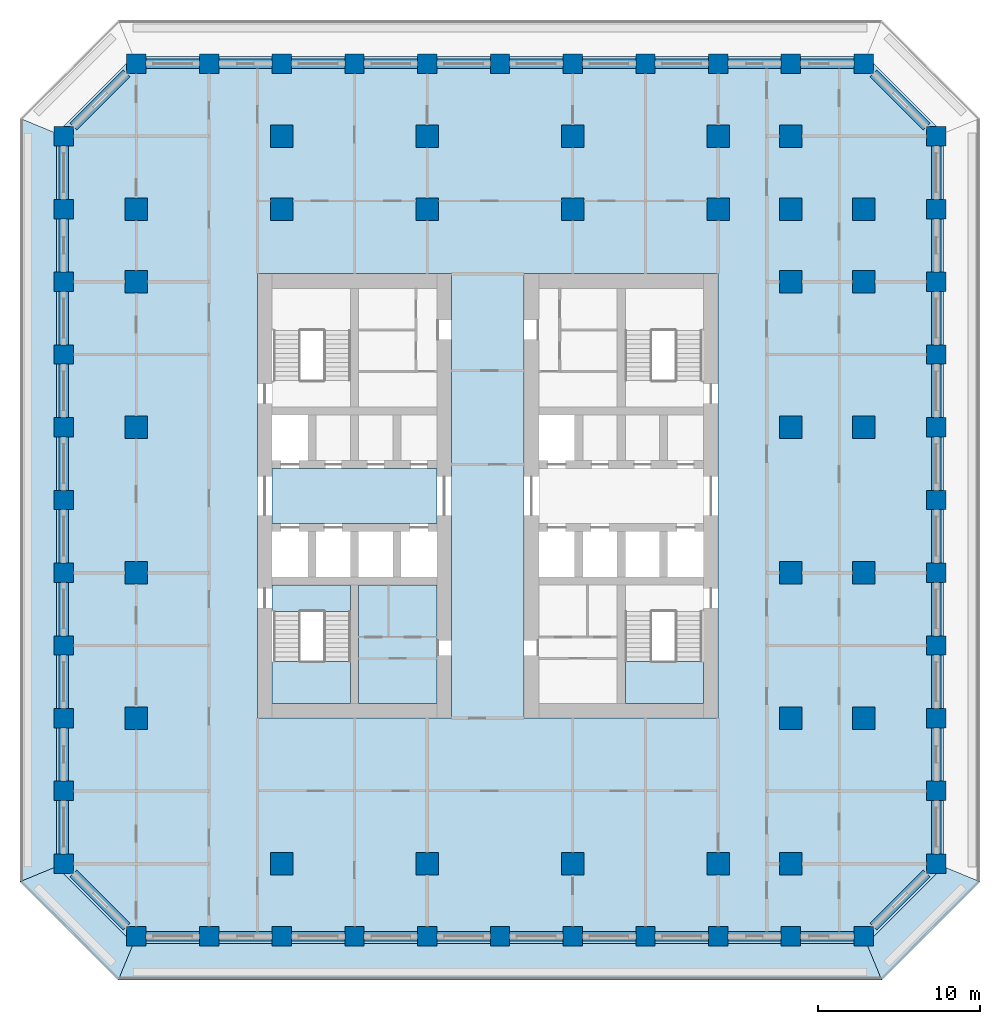
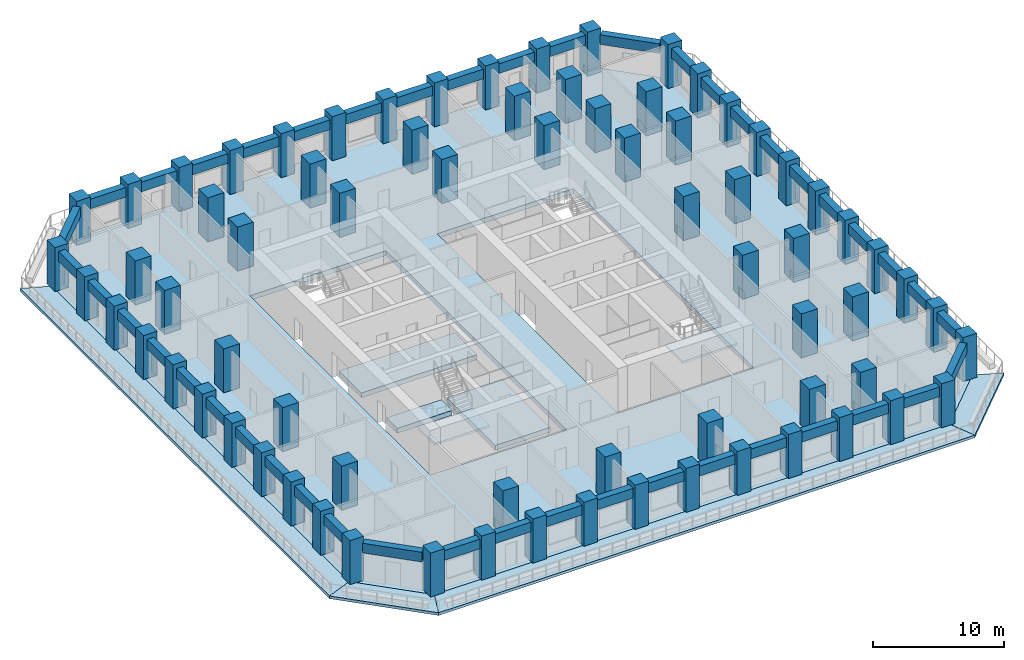
# One storey, part 1 of 18: 73 columns, 44 beams, 10 slabs, 2 elements without a shape of their own.
"""IFC4 building model written with IfcOpenShell, lengths in metres."""

from ifc_helpers import new_model, si_unit, direction, frame, origin, origin_2d, place, context, subcontext, project, spatial, polyline, rectangle, outline, extrude, material, layer, layer_set, material_profile, profile_set, type_object, element, aggregate, save


model = new_model("IFC4")

# Units and contexts
model_context = context("Model", 3, precision=1e-05, world=origin(), true_north=direction((0.0, 1.0)))
body_context = subcontext(model_context, "Body", "Model", "MODEL_VIEW")
ifc_project = project(units=[si_unit("LENGTHUNIT", "METRE"), si_unit("AREAUNIT", "SQUARE_METRE"), si_unit("VOLUMEUNIT", "CUBIC_METRE"), si_unit("PLANEANGLEUNIT", "RADIAN"), si_unit("MASSUNIT", "GRAM", prefix="KILO")], contexts=[model_context])

# Site, building, storey
site_placement = place(None, origin())
site = spatial("IfcSite", under=ifc_project, at=site_placement, CompositionType="ELEMENT")
building_placement = place(site_placement, origin())
building = spatial("IfcBuilding", under=site, at=building_placement, Name="Corbel Stack Research Tower", CompositionType="ELEMENT")
storey_placement = place(building_placement, frame((0.0, 0.0, 102.5)))
storey = spatial("IfcBuildingStorey", under=building, at=storey_placement, Name="L23", CompositionType="ELEMENT", Elevation=102.5)

# Columns
ifc_material_1 = material(Name="Concrete C70/85", Category="concrete")
ifc_material_profile_1 = material_profile(ifc_material_1, rectangle(XDim=1.199951171875, YDim=1.199951171875, at=origin_2d()), Name="RC 1200 x 1200")
ifc_profile_set_1 = profile_set([ifc_material_profile_1], Name="Concrete C70/85")
column_type_1 = type_object("IfcColumnType", Name="C-1200-70", PredefinedType="COLUMN", material=ifc_profile_set_1)
for number, where, z_axis, x_axis, name in (
    (1, (-22.5, -18.0, 0.0), (0.0, 0.0, 1.0), (1.0, 0.0, 0.0), "Column 3/D L23"),
    (2, (-22.5, -13.5, 0.0), (0.0, 0.0, 1.0), (1.0, 0.0, 0.0), "Column 3/E L23"),
    (3, (-22.5, -9.0, 0.0), (0.0, 0.0, 1.0), (1.0, 0.0, 0.0), "Column 3/F L23"),
    (4, (-22.5, -4.5, 0.0), (0.0, 0.0, 1.0), (1.0, 0.0, 0.0), "Column 3/G L23"),
    (5, (-22.5, 0.0, 0.0), (0.0, 0.0, 1.0), (1.0, 0.0, 0.0), "Column 3/H L23"),
    (6, (-22.5, 4.5, 0.0), (0.0, 0.0, 1.0), (1.0, 0.0, 0.0), "Column 3/J L23"),
    (7, (-22.5, 9.0, 0.0), (0.0, 0.0, 1.0), (1.0, 0.0, 0.0), "Column 3/K L23"),
    (8, (-22.5, 13.5, 0.0), (0.0, 0.0, 1.0), (1.0, 0.0, 0.0), "Column 3/L L23"),
    (9, (-22.5, 18.0, 0.0), (0.0, 0.0, 1.0), (1.0, 0.0, 0.0), "Column 3/M L23"),
    (10, (-22.5, 22.5, 0.0), (0.0, 0.0, 1.0), (1.0, 0.0, 0.0), "Column 3/N L23"),
    (11, (-22.5, 27.0, 0.0), (0.0, 0.0, 1.0), (1.0, 0.0, 0.0), "Column 3/P L23"),
    (12, (-18.0, -22.5, 0.0), (0.0, 0.0, 1.0), (1.0, 0.0, 0.0), "Column 4/C L23"),
    (13, (-18.0, 31.5, 0.0), (0.0, 0.0, 1.0), (1.0, 0.0, 0.0), "Column 4/Q L23"),
    (14, (-13.5, -22.5, 0.0), (0.0, 0.0, 1.0), (1.0, 0.0, 0.0), "Column 5/C L23"),
    (15, (-13.5, 31.5, 0.0), (0.0, 0.0, 1.0), (1.0, 0.0, 0.0), "Column 5/Q L23"),
    (16, (-9.0, -22.5, 0.0), (0.0, 0.0, 1.0), (1.0, 0.0, 0.0), "Column 6/C L23"),
    (17, (-9.0, 31.5, 0.0), (0.0, 0.0, 1.0), (1.0, 0.0, 0.0), "Column 6/Q L23"),
    (18, (-4.5, -22.5, 0.0), (0.0, 0.0, 1.0), (1.0, 0.0, 0.0), "Column 7/C L23"),
    (19, (-4.5, 31.5, 0.0), (0.0, 0.0, 1.0), (1.0, 0.0, 0.0), "Column 7/Q L23"),
    (20, (0.0, -22.5, 0.0), (0.0, 0.0, 1.0), (1.0, 0.0, 0.0), "Column 8/C L23"),
    (21, (0.0, 31.5, 0.0), (0.0, 0.0, 1.0), (1.0, 0.0, 0.0), "Column 8/Q L23"),
    (22, (4.5, -22.5, 0.0), (0.0, 0.0, 1.0), (1.0, 0.0, 0.0), "Column 9/C L23"),
    (23, (4.5, 31.5, 0.0), (0.0, 0.0, 1.0), (1.0, 0.0, 0.0), "Column 9/Q L23"),
    (24, (9.0, -22.5, 0.0), (0.0, 0.0, 1.0), (1.0, 0.0, 0.0), "Column 10/C L23"),
    (25, (9.0, 31.5, 0.0), (0.0, 0.0, 1.0), (1.0, 0.0, 0.0), "Column 10/Q L23"),
    (26, (13.5, -22.5, 0.0), (0.0, 0.0, 1.0), (1.0, 0.0, 0.0), "Column 11/C L23"),
    (27, (13.5, 31.5, 0.0), (0.0, 0.0, 1.0), (1.0, 0.0, 0.0), "Column 11/Q L23"),
    (28, (18.0, -22.5, 0.0), (0.0, 0.0, 1.0), (1.0, 0.0, 0.0), "Column 12/C L23"),
    (29, (18.0, 31.5, 0.0), (0.0, 0.0, 1.0), (1.0, 0.0, 0.0), "Column 12/Q L23"),
    (30, (22.5, -22.5, 0.0), (0.0, 0.0, 1.0), (1.0, 0.0, 0.0), "Column 13/C L23"),
    (31, (22.5, 31.5, 0.0), (0.0, 0.0, 1.0), (1.0, 0.0, 0.0), "Column 13/Q L23"),
    (32, (27.0, -22.5, 0.0), (0.0, 0.0, 1.0), (1.0, 0.0, 0.0), "Column 14/C L23"),
    (33, (27.0, 31.5, 0.0), (0.0, 0.0, 1.0), (1.0, 0.0, 0.0), "Column 14/Q L23"),
    (34, (31.5, -18.0, 0.0), (0.0, 0.0, 1.0), (1.0, 0.0, 0.0), "Column 15/D L23"),
    (35, (31.5, -13.5, 0.0), (0.0, 0.0, 1.0), (1.0, 0.0, 0.0), "Column 15/E L23"),
    (36, (31.5, -9.0, 0.0), (0.0, 0.0, 1.0), (1.0, 0.0, 0.0), "Column 15/F L23"),
    (37, (31.5, -4.5, 0.0), (0.0, 0.0, 1.0), (1.0, 0.0, 0.0), "Column 15/G L23"),
    (38, (31.5, 0.0, 0.0), (0.0, 0.0, 1.0), (1.0, 0.0, 0.0), "Column 15/H L23"),
    (39, (31.5, 4.5, 0.0), (0.0, 0.0, 1.0), (1.0, 0.0, 0.0), "Column 15/J L23"),
    (40, (31.5, 9.0, 0.0), (0.0, 0.0, 1.0), (1.0, 0.0, 0.0), "Column 15/K L23"),
    (41, (31.5, 13.5, 0.0), (0.0, 0.0, 1.0), (1.0, 0.0, 0.0), "Column 15/L L23"),
    (42, (31.5, 18.0, 0.0), (0.0, 0.0, 1.0), (1.0, 0.0, 0.0), "Column 15/M L23"),
    (43, (31.5, 22.5, 0.0), (0.0, 0.0, 1.0), (1.0, 0.0, 0.0), "Column 15/N L23"),
    (44, (31.5, 27.0, 0.0), (0.0, 0.0, 1.0), (1.0, 0.0, 0.0), "Column 15/P L23"),
):
    element("IfcColumn", number, at=place(storey_placement, frame(where, z_axis=z_axis, x_axis=x_axis)), inside=storey, type_object=column_type_1, Name=name, PredefinedType="COLUMN", context=body_context, shape_type="SweptSolid", body=[
        extrude(rectangle(XDim=1.199951171875, YDim=1.199951171875, at=origin_2d()), origin(), (0.0, 0.0, 1.0), 4.10009765625),
    ])
ifc_material_2 = material(Name="Concrete C70/85", Category="concrete")
ifc_material_profile_2 = material_profile(ifc_material_2, rectangle(XDim=1.39990234375, YDim=1.39990234375, at=origin_2d()), Name="RC 1400 x 1400")
ifc_profile_set_2 = profile_set([ifc_material_profile_2], Name="Concrete C70/85")
column_type_2 = type_object("IfcColumnType", Name="C-1400-70", PredefinedType="COLUMN", material=ifc_profile_set_2)
for number, where, z_axis, x_axis, name in (
    (45, (-18.0, -9.0, 0.0), (0.0, 0.0, 1.0), (1.0, 0.0, 0.0), "Column 4/F L23"),
    (46, (-18.0, 0.0, 0.0), (0.0, 0.0, 1.0), (1.0, 0.0, 0.0), "Column 4/H L23"),
    (47, (-18.0, 9.0, 0.0), (0.0, 0.0, 1.0), (1.0, 0.0, 0.0), "Column 4/K L23"),
    (48, (-18.0, 18.0, 0.0), (0.0, 0.0, 1.0), (1.0, 0.0, 0.0), "Column 4/M L23"),
    (49, (-18.0, 22.5, 0.0), (0.0, 0.0, 1.0), (1.0, 0.0, 0.0), "Column 4/N L23"),
    (50, (-9.0, -18.0, 0.0), (0.0, 0.0, 1.0), (1.0, 0.0, 0.0), "Column 6/D L23"),
    (51, (-9.0, 22.5, 0.0), (0.0, 0.0, 1.0), (1.0, 0.0, 0.0), "Column 6/N L23"),
    (52, (-9.0, 27.0, 0.0), (0.0, 0.0, 1.0), (1.0, 0.0, 0.0), "Column 6/P L23"),
    (53, (0.0, -18.0, 0.0), (0.0, 0.0, 1.0), (1.0, 0.0, 0.0), "Column 8/D L23"),
    (54, (0.0, 22.5, 0.0), (0.0, 0.0, 1.0), (1.0, 0.0, 0.0), "Column 8/N L23"),
    (55, (0.0, 27.0, 0.0), (0.0, 0.0, 1.0), (1.0, 0.0, 0.0), "Column 8/P L23"),
    (56, (9.0, -18.0, 0.0), (0.0, 0.0, 1.0), (1.0, 0.0, 0.0), "Column 10/D L23"),
    (57, (9.0, 22.5, 0.0), (0.0, 0.0, 1.0), (1.0, 0.0, 0.0), "Column 10/N L23"),
    (58, (9.0, 27.0, 0.0), (0.0, 0.0, 1.0), (1.0, 0.0, 0.0), "Column 10/P L23"),
    (59, (18.0, -18.0, 0.0), (0.0, 0.0, 1.0), (1.0, 0.0, 0.0), "Column 12/D L23"),
    (60, (18.0, 22.5, 0.0), (0.0, 0.0, 1.0), (1.0, 0.0, 0.0), "Column 12/N L23"),
    (61, (18.0, 27.0, 0.0), (0.0, 0.0, 1.0), (1.0, 0.0, 0.0), "Column 12/P L23"),
    (62, (22.5, -18.0, 0.0), (0.0, 0.0, 1.0), (1.0, 0.0, 0.0), "Column 13/D L23"),
    (63, (22.5, -9.0, 0.0), (0.0, 0.0, 1.0), (1.0, 0.0, 0.0), "Column 13/F L23"),
    (64, (22.5, 0.0, 0.0), (0.0, 0.0, 1.0), (1.0, 0.0, 0.0), "Column 13/H L23"),
    (65, (22.5, 9.0, 0.0), (0.0, 0.0, 1.0), (1.0, 0.0, 0.0), "Column 13/K L23"),
    (66, (22.5, 18.0, 0.0), (0.0, 0.0, 1.0), (1.0, 0.0, 0.0), "Column 13/M L23"),
    (67, (22.5, 22.5, 0.0), (0.0, 0.0, 1.0), (1.0, 0.0, 0.0), "Column 13/N L23"),
    (68, (22.5, 27.0, 0.0), (0.0, 0.0, 1.0), (1.0, 0.0, 0.0), "Column 13/P L23"),
    (69, (27.0, -9.0, 0.0), (0.0, 0.0, 1.0), (1.0, 0.0, 0.0), "Column 14/F L23"),
    (70, (27.0, 0.0, 0.0), (0.0, 0.0, 1.0), (1.0, 0.0, 0.0), "Column 14/H L23"),
    (71, (27.0, 9.0, 0.0), (0.0, 0.0, 1.0), (1.0, 0.0, 0.0), "Column 14/K L23"),
    (72, (27.0, 18.0, 0.0), (0.0, 0.0, 1.0), (1.0, 0.0, 0.0), "Column 14/M L23"),
    (73, (27.0, 22.5, 0.0), (0.0, 0.0, 1.0), (1.0, 0.0, 0.0), "Column 14/N L23"),
):
    element("IfcColumn", number, at=place(storey_placement, frame(where, z_axis=z_axis, x_axis=x_axis)), inside=storey, type_object=column_type_2, Name=name, PredefinedType="COLUMN", context=body_context, shape_type="SweptSolid", body=[
        extrude(rectangle(XDim=1.39990234375, YDim=1.39990234375, at=origin_2d()), origin(), (0.0, 0.0, 1.0), 4.10009765625),
    ])

# Beams
ifc_material_3 = material(Name="Concrete C60/75", Category="concrete")
ifc_material_profile_3 = material_profile(ifc_material_3, rectangle(XDim=0.60009765625, YDim=0.89990234375, at=origin_2d()), Name="RC 600 x 900")
ifc_profile_set_3 = profile_set([ifc_material_profile_3], Name="Concrete C60/75")
beam_type = type_object("IfcBeamType", Name="SB-600-900-450", PredefinedType="SPANDREL", material=ifc_profile_set_3)
for number, where, z_axis, x_axis, name in (
    (74, (-17.39990234375, -22.5, 3.199951171875), (1.0, 0.0, 0.0), (0.0, 1.0, 0.0), "Spandrel beam L23-01"),
    (75, (-12.89990234375, -22.5, 3.199951171875), (1.0, 0.0, 0.0), (0.0, 1.0, 0.0), "Spandrel beam L23-02"),
    (76, (-8.39990234375, -22.5, 3.199951171875), (1.0, 0.0, 0.0), (0.0, 1.0, 0.0), "Spandrel beam L23-03"),
    (77, (-3.89990234375, -22.5, 3.199951171875), (1.0, 0.0, 0.0), (0.0, 1.0, 0.0), "Spandrel beam L23-04"),
    (78, (0.60009765625, -22.5, 3.199951171875), (1.0, 0.0, 0.0), (0.0, 1.0, 0.0), "Spandrel beam L23-05"),
    (79, (5.10009765625, -22.5, 3.199951171875), (1.0, 0.0, 0.0), (0.0, 1.0, 0.0), "Spandrel beam L23-06"),
    (80, (9.60009765625, -22.5, 3.199951171875), (1.0, 0.0, 0.0), (0.0, 1.0, 0.0), "Spandrel beam L23-07"),
    (81, (14.10009765625, -22.5, 3.199951171875), (1.0, 0.0, 0.0), (0.0, 1.0, 0.0), "Spandrel beam L23-08"),
    (82, (18.60009765625, -22.5, 3.199951171875), (1.0, 0.0, 0.0), (0.0, 1.0, 0.0), "Spandrel beam L23-09"),
    (83, (23.10009765625, -22.5, 3.199951171875), (1.0, 0.0, 0.0), (0.0, 1.0, 0.0), "Spandrel beam L23-10"),
):
    element("IfcBeam", number, at=place(storey_placement, frame(where, z_axis=z_axis, x_axis=x_axis)), inside=storey, type_object=beam_type, Name=name, PredefinedType="SPANDREL", context=body_context, shape_type="SweptSolid", body=[
        extrude(rectangle(XDim=0.60009765625, YDim=0.89990234375, at=origin_2d()), origin(), (0.0, 0.0, 1.0), 3.2998046875),
    ])
beam_1_placement = place(storey_placement, frame((27.60009765625, -21.89990234375, 3.199951171875), z_axis=(0.707106781187, 0.707106781187, 0.0), x_axis=(-0.707106781187, 0.707106781187, 0.0)))
element("IfcBeam", 84, at=beam_1_placement, inside=storey, type_object=beam_type, Name="Spandrel beam L23-11", PredefinedType="SPANDREL", context=body_context, shape_type="SweptSolid", body=[
    extrude(rectangle(XDim=0.60009765625, YDim=0.89990234375, at=origin_2d()), origin(), (0.0, 0.0, 1.0), 4.666748046875),
])
for number, where, z_axis, x_axis, name in (
    (85, (31.5, -17.39990234375, 3.199951171875), (0.0, 1.0, 0.0), (-1.0, 0.0, 0.0), "Spandrel beam L23-12"),
    (86, (31.5, -12.89990234375, 3.199951171875), (0.0, 1.0, 0.0), (-1.0, 0.0, 0.0), "Spandrel beam L23-13"),
    (87, (31.5, -8.39990234375, 3.199951171875), (0.0, 1.0, 0.0), (-1.0, 0.0, 0.0), "Spandrel beam L23-14"),
    (88, (31.5, -3.89990234375, 3.199951171875), (0.0, 1.0, 0.0), (-1.0, 0.0, 0.0), "Spandrel beam L23-15"),
    (89, (31.5, 0.60009765625, 3.199951171875), (0.0, 1.0, 0.0), (-1.0, 0.0, 0.0), "Spandrel beam L23-16"),
    (90, (31.5, 5.10009765625, 3.199951171875), (0.0, 1.0, 0.0), (-1.0, 0.0, 0.0), "Spandrel beam L23-17"),
    (91, (31.5, 9.60009765625, 3.199951171875), (0.0, 1.0, 0.0), (-1.0, 0.0, 0.0), "Spandrel beam L23-18"),
    (92, (31.5, 14.10009765625, 3.199951171875), (0.0, 1.0, 0.0), (-1.0, 0.0, 0.0), "Spandrel beam L23-19"),
    (93, (31.5, 18.60009765625, 3.199951171875), (0.0, 1.0, 0.0), (-1.0, 0.0, 0.0), "Spandrel beam L23-20"),
    (94, (31.5, 23.10009765625, 3.199951171875), (0.0, 1.0, 0.0), (-1.0, 0.0, 0.0), "Spandrel beam L23-21"),
):
    element("IfcBeam", number, at=place(storey_placement, frame(where, z_axis=z_axis, x_axis=x_axis)), inside=storey, type_object=beam_type, Name=name, PredefinedType="SPANDREL", context=body_context, shape_type="SweptSolid", body=[
        extrude(rectangle(XDim=0.60009765625, YDim=0.89990234375, at=origin_2d()), origin(), (0.0, 0.0, 1.0), 3.2998046875),
    ])
beam_2_placement = place(storey_placement, frame((30.89990234375, 27.60009765625, 3.199951171875), z_axis=(-0.707106781187, 0.707106781187, 0.0), x_axis=(-0.707106781187, -0.707106781187, 0.0)))
element("IfcBeam", 95, at=beam_2_placement, inside=storey, type_object=beam_type, Name="Spandrel beam L23-22", PredefinedType="SPANDREL", context=body_context, shape_type="SweptSolid", body=[
    extrude(rectangle(XDim=0.60009765625, YDim=0.89990234375, at=origin_2d()), origin(), (0.0, 0.0, 1.0), 4.666748046875),
])
for number, where, z_axis, x_axis, name in (
    (96, (26.39990234375, 31.5, 3.199951171875), (-1.0, 0.0, 0.0), (0.0, -1.0, 0.0), "Spandrel beam L23-23"),
    (97, (21.89990234375, 31.5, 3.199951171875), (-1.0, 0.0, 0.0), (0.0, -1.0, 0.0), "Spandrel beam L23-24"),
    (98, (17.39990234375, 31.5, 3.199951171875), (-1.0, 0.0, 0.0), (0.0, -1.0, 0.0), "Spandrel beam L23-25"),
    (99, (12.89990234375, 31.5, 3.199951171875), (-1.0, 0.0, 0.0), (0.0, -1.0, 0.0), "Spandrel beam L23-26"),
    (100, (8.39990234375, 31.5, 3.199951171875), (-1.0, 0.0, 0.0), (0.0, -1.0, 0.0), "Spandrel beam L23-27"),
    (101, (3.89990234375, 31.5, 3.199951171875), (-1.0, 0.0, 0.0), (0.0, -1.0, 0.0), "Spandrel beam L23-28"),
    (102, (-0.60009765625, 31.5, 3.199951171875), (-1.0, 0.0, 0.0), (0.0, -1.0, 0.0), "Spandrel beam L23-29"),
    (103, (-5.10009765625, 31.5, 3.199951171875), (-1.0, 0.0, 0.0), (0.0, -1.0, 0.0), "Spandrel beam L23-30"),
    (104, (-9.60009765625, 31.5, 3.199951171875), (-1.0, 0.0, 0.0), (0.0, -1.0, 0.0), "Spandrel beam L23-31"),
    (105, (-14.10009765625, 31.5, 3.199951171875), (-1.0, 0.0, 0.0), (0.0, -1.0, 0.0), "Spandrel beam L23-32"),
):
    element("IfcBeam", number, at=place(storey_placement, frame(where, z_axis=z_axis, x_axis=x_axis)), inside=storey, type_object=beam_type, Name=name, PredefinedType="SPANDREL", context=body_context, shape_type="SweptSolid", body=[
        extrude(rectangle(XDim=0.60009765625, YDim=0.89990234375, at=origin_2d()), origin(), (0.0, 0.0, 1.0), 3.2998046875),
    ])
beam_3_placement = place(storey_placement, frame((-18.60009765625, 30.89990234375, 3.199951171875), z_axis=(-0.707106781187, -0.707106781187, 0.0), x_axis=(0.707106781187, -0.707106781187, 0.0)))
element("IfcBeam", 106, at=beam_3_placement, inside=storey, type_object=beam_type, Name="Spandrel beam L23-33", PredefinedType="SPANDREL", context=body_context, shape_type="SweptSolid", body=[
    extrude(rectangle(XDim=0.60009765625, YDim=0.89990234375, at=origin_2d()), origin(), (0.0, 0.0, 1.0), 4.666748046875),
])
for number, where, z_axis, x_axis, name in (
    (107, (-22.5, 26.39990234375, 3.199951171875), (0.0, -1.0, 0.0), (1.0, 0.0, 0.0), "Spandrel beam L23-34"),
    (108, (-22.5, 21.89990234375, 3.199951171875), (0.0, -1.0, 0.0), (1.0, 0.0, 0.0), "Spandrel beam L23-35"),
    (109, (-22.5, 17.39990234375, 3.199951171875), (0.0, -1.0, 0.0), (1.0, 0.0, 0.0), "Spandrel beam L23-36"),
    (110, (-22.5, 12.89990234375, 3.199951171875), (0.0, -1.0, 0.0), (1.0, 0.0, 0.0), "Spandrel beam L23-37"),
    (111, (-22.5, 8.39990234375, 3.199951171875), (0.0, -1.0, 0.0), (1.0, 0.0, 0.0), "Spandrel beam L23-38"),
    (112, (-22.5, 3.89990234375, 3.199951171875), (0.0, -1.0, 0.0), (1.0, 0.0, 0.0), "Spandrel beam L23-39"),
    (113, (-22.5, -0.60009765625, 3.199951171875), (0.0, -1.0, 0.0), (1.0, 0.0, 0.0), "Spandrel beam L23-40"),
    (114, (-22.5, -5.10009765625, 3.199951171875), (0.0, -1.0, 0.0), (1.0, 0.0, 0.0), "Spandrel beam L23-41"),
    (115, (-22.5, -9.60009765625, 3.199951171875), (0.0, -1.0, 0.0), (1.0, 0.0, 0.0), "Spandrel beam L23-42"),
    (116, (-22.5, -14.10009765625, 3.199951171875), (0.0, -1.0, 0.0), (1.0, 0.0, 0.0), "Spandrel beam L23-43"),
):
    element("IfcBeam", number, at=place(storey_placement, frame(where, z_axis=z_axis, x_axis=x_axis)), inside=storey, type_object=beam_type, Name=name, PredefinedType="SPANDREL", context=body_context, shape_type="SweptSolid", body=[
        extrude(rectangle(XDim=0.60009765625, YDim=0.89990234375, at=origin_2d()), origin(), (0.0, 0.0, 1.0), 3.2998046875),
    ])
beam_4_placement = place(storey_placement, frame((-21.89990234375, -18.60009765625, 3.199951171875), z_axis=(0.707106781187, -0.707106781187, 0.0), x_axis=(0.707106781187, 0.707106781187, 0.0)))
element("IfcBeam", 117, at=beam_4_placement, inside=storey, type_object=beam_type, Name="Spandrel beam L23-44", PredefinedType="SPANDREL", context=body_context, shape_type="SweptSolid", body=[
    extrude(rectangle(XDim=0.60009765625, YDim=0.89990234375, at=origin_2d()), origin(), (0.0, 0.0, 1.0), 4.666748046875),
])

# Slabs
ifc_material_4 = material(Name="Concrete C45/55", Category="concrete")
ifc_layer_1 = layer(ifc_material_4, 0.25)
ifc_layer_set_1 = layer_set([ifc_layer_1], Name="Concrete C45/55")
slab_type_1 = type_object("IfcSlabType", Name="PT balcony slab 250 C45/55", PredefinedType="FLOOR", material=ifc_layer_set_1)
slab_1_placement = place(storey_placement, frame((0.0, 0.0, -0.25)))
element("IfcSlab", 118, at=slab_1_placement, inside=storey, type_object=slab_type_1, Name="Loggia slab L23 S", PredefinedType="FLOOR", context=body_context, shape_type="SweptSolid", body=[
    extrude(outline(polyline([(27.24853515625, -23.10009765625), (26.39990234375, -23.10009765625), (26.39990234375, -22.949951171875), (23.10009765625, -22.949951171875), (23.10009765625, -23.10009765625), (21.89990234375, -23.10009765625), (21.89990234375, -22.949951171875), (18.60009765625, -22.949951171875), (18.60009765625, -23.10009765625), (17.39990234375, -23.10009765625), (17.39990234375, -22.949951171875), (14.10009765625, -22.949951171875), (14.10009765625, -23.10009765625), (12.89990234375, -23.10009765625), (12.89990234375, -22.949951171875), (9.60009765625, -22.949951171875), (9.60009765625, -23.10009765625), (8.39990234375, -23.10009765625), (8.39990234375, -22.949951171875), (5.10009765625, -22.949951171875), (5.10009765625, -23.10009765625), (3.89990234375, -23.10009765625), (3.89990234375, -22.949951171875), (0.60009765625, -22.949951171875), (0.60009765625, -23.10009765625), (-0.60009765625, -23.10009765625), (-0.60009765625, -22.949951171875), (-3.89990234375, -22.949951171875), (-3.89990234375, -23.10009765625), (-5.10009765625, -23.10009765625), (-5.10009765625, -22.949951171875), (-8.39990234375, -22.949951171875), (-8.39990234375, -23.10009765625), (-9.60009765625, -23.10009765625), (-9.60009765625, -22.949951171875), (-12.89990234375, -22.949951171875), (-12.89990234375, -23.10009765625), (-14.10009765625, -23.10009765625), (-14.10009765625, -22.949951171875), (-17.39990234375, -22.949951171875), (-17.39990234375, -23.10009765625), (-18.24853515625, -23.10009765625), (-19.118408203125, -25.199951171875), (28.118408203125, -25.199951171875), (27.24853515625, -23.10009765625)])), origin(), (0.0, 0.0, 1.0), 0.25),
])
slab_2_placement = place(storey_placement, frame((0.0, 0.0, -0.25)))
element("IfcSlab", 119, at=slab_2_placement, inside=storey, type_object=slab_type_1, Name="Loggia slab L23 SE", PredefinedType="FLOOR", context=body_context, shape_type="SweptSolid", body=[
    extrude(outline(polyline([(32.10009765625, -18.24853515625), (32.10009765625, -18.60009765625), (31.536376953125, -18.60009765625), (27.60009765625, -22.536376953125), (27.60009765625, -23.10009765625), (27.24853515625, -23.10009765625), (28.118408203125, -25.199951171875), (34.199951171875, -19.118408203125), (32.10009765625, -18.24853515625)])), origin(), (0.0, 0.0, 1.0), 0.25),
])
slab_3_placement = place(storey_placement, frame((0.0, 0.0, -0.25)))
element("IfcSlab", 120, at=slab_3_placement, inside=storey, type_object=slab_type_1, Name="Loggia slab L23 W", PredefinedType="FLOOR", context=body_context, shape_type="SweptSolid", body=[
    extrude(outline(polyline([(-23.10009765625, -18.24853515625), (-23.10009765625, -17.39990234375), (-22.949951171875, -17.39990234375), (-22.949951171875, -14.10009765625), (-23.10009765625, -14.10009765625), (-23.10009765625, -12.89990234375), (-22.949951171875, -12.89990234375), (-22.949951171875, -9.60009765625), (-23.10009765625, -9.60009765625), (-23.10009765625, -8.39990234375), (-22.949951171875, -8.39990234375), (-22.949951171875, -5.10009765625), (-23.10009765625, -5.10009765625), (-23.10009765625, -3.89990234375), (-22.949951171875, -3.89990234375), (-22.949951171875, -0.60009765625), (-23.10009765625, -0.60009765625), (-23.10009765625, 0.60009765625), (-22.949951171875, 0.60009765625), (-22.949951171875, 3.89990234375), (-23.10009765625, 3.89990234375), (-23.10009765625, 5.10009765625), (-22.949951171875, 5.10009765625), (-22.949951171875, 8.39990234375), (-23.10009765625, 8.39990234375), (-23.10009765625, 9.60009765625), (-22.949951171875, 9.60009765625), (-22.949951171875, 12.89990234375), (-23.10009765625, 12.89990234375), (-23.10009765625, 14.10009765625), (-22.949951171875, 14.10009765625), (-22.949951171875, 17.39990234375), (-23.10009765625, 17.39990234375), (-23.10009765625, 18.60009765625), (-22.949951171875, 18.60009765625), (-22.949951171875, 21.89990234375), (-23.10009765625, 21.89990234375), (-23.10009765625, 23.10009765625), (-22.949951171875, 23.10009765625), (-22.949951171875, 26.39990234375), (-23.10009765625, 26.39990234375), (-23.10009765625, 27.24853515625), (-25.199951171875, 28.118408203125), (-25.199951171875, -19.118408203125), (-23.10009765625, -18.24853515625)])), origin(), (0.0, 0.0, 1.0), 0.25),
])
slab_4_placement = place(storey_placement, frame((0.0, 0.0, -0.25)))
element("IfcSlab", 121, at=slab_4_placement, inside=storey, type_object=slab_type_1, Name="Loggia slab L23 SW", PredefinedType="FLOOR", context=body_context, shape_type="SweptSolid", body=[
    extrude(outline(polyline([(-18.24853515625, -23.10009765625), (-18.60009765625, -23.10009765625), (-18.60009765625, -22.536376953125), (-22.536376953125, -18.60009765625), (-23.10009765625, -18.60009765625), (-23.10009765625, -18.24853515625), (-25.199951171875, -19.118408203125), (-19.118408203125, -25.199951171875), (-18.24853515625, -23.10009765625)])), origin(), (0.0, 0.0, 1.0), 0.25),
])
ifc_material_5 = material(Name="Concrete C45/55", Category="concrete")
ifc_layer_2 = layer(ifc_material_5, 0.449951171875)
ifc_layer_set_2 = layer_set([ifc_layer_2], Name="Concrete C45/55")
slab_type_2 = type_object("IfcSlabType", Name="PT-450", PredefinedType="FLOOR", material=ifc_layer_set_2)
slab_5_placement = place(storey_placement, frame((0.0, 0.0, -0.449951171875)))
element("IfcSlab", 122, at=slab_5_placement, inside=storey, type_object=slab_type_2, Name="Floor slab L23", PredefinedType="FLOOR", context=body_context, shape_type="SweptSolid", body=[
    extrude(outline(polyline([(-18.186279296875, -22.949951171875), (27.186279296875, -22.949951171875), (31.949951171875, -18.186279296875), (31.949951171875, 27.186279296875), (27.186279296875, 31.949951171875), (-18.186279296875, 31.949951171875), (-22.949951171875, 27.186279296875), (-22.949951171875, -18.186279296875), (-18.186279296875, -22.949951171875)]), holes=[polyline([(26.300048828125, 21.800048828125), (26.300048828125, 23.199951171875), (27.699951171875, 23.199951171875), (27.699951171875, 21.800048828125), (26.300048828125, 21.800048828125)]), polyline([(26.300048828125, -9.699951171875), (26.300048828125, -8.300048828125), (27.699951171875, -8.300048828125), (27.699951171875, -9.699951171875), (26.300048828125, -9.699951171875)]), polyline([(26.300048828125, -0.699951171875), (26.300048828125, 0.699951171875), (27.699951171875, 0.699951171875), (27.699951171875, -0.699951171875), (26.300048828125, -0.699951171875)]), polyline([(26.300048828125, 8.300048828125), (26.300048828125, 9.699951171875), (27.699951171875, 9.699951171875), (27.699951171875, 8.300048828125), (26.300048828125, 8.300048828125)]), polyline([(26.300048828125, 17.300048828125), (26.300048828125, 18.699951171875), (27.699951171875, 18.699951171875), (27.699951171875, 17.300048828125), (26.300048828125, 17.300048828125)]), polyline([(21.800048828125, 26.300048828125), (21.800048828125, 27.699951171875), (23.199951171875, 27.699951171875), (23.199951171875, 26.300048828125), (21.800048828125, 26.300048828125)]), polyline([(21.800048828125, 21.800048828125), (21.800048828125, 23.199951171875), (23.199951171875, 23.199951171875), (23.199951171875, 21.800048828125), (21.800048828125, 21.800048828125)]), polyline([(21.800048828125, 17.300048828125), (21.800048828125, 18.699951171875), (23.199951171875, 18.699951171875), (23.199951171875, 17.300048828125), (21.800048828125, 17.300048828125)]), polyline([(21.800048828125, 8.300048828125), (21.800048828125, 9.699951171875), (23.199951171875, 9.699951171875), (23.199951171875, 8.300048828125), (21.800048828125, 8.300048828125)]), polyline([(21.800048828125, -0.699951171875), (21.800048828125, 0.699951171875), (23.199951171875, 0.699951171875), (23.199951171875, -0.699951171875), (21.800048828125, -0.699951171875)]), polyline([(21.800048828125, -9.699951171875), (21.800048828125, -8.300048828125), (23.199951171875, -8.300048828125), (23.199951171875, -9.699951171875), (21.800048828125, -9.699951171875)]), polyline([(21.800048828125, -18.699951171875), (21.800048828125, -17.300048828125), (23.199951171875, -17.300048828125), (23.199951171875, -18.699951171875), (21.800048828125, -18.699951171875)]), polyline([(17.300048828125, 26.300048828125), (17.300048828125, 27.699951171875), (18.699951171875, 27.699951171875), (18.699951171875, 26.300048828125), (17.300048828125, 26.300048828125)]), polyline([(17.300048828125, 21.800048828125), (17.300048828125, 23.199951171875), (18.699951171875, 23.199951171875), (18.699951171875, 21.800048828125), (17.300048828125, 21.800048828125)]), polyline([(17.300048828125, -18.699951171875), (17.300048828125, -17.300048828125), (18.699951171875, -17.300048828125), (18.699951171875, -18.699951171875), (17.300048828125, -18.699951171875)]), polyline([(6.0, -9.0), (6.0, 18.5), (18.0, 18.5), (18.0, -9.0), (6.0, -9.0)]), polyline([(8.300048828125, 26.300048828125), (8.300048828125, 27.699951171875), (9.699951171875, 27.699951171875), (9.699951171875, 26.300048828125), (8.300048828125, 26.300048828125)]), polyline([(8.300048828125, 21.800048828125), (8.300048828125, 23.199951171875), (9.699951171875, 23.199951171875), (9.699951171875, 21.800048828125), (8.300048828125, 21.800048828125)]), polyline([(8.300048828125, -18.699951171875), (8.300048828125, -17.300048828125), (9.699951171875, -17.300048828125), (9.699951171875, -18.699951171875), (8.300048828125, -18.699951171875)]), polyline([(-10.5, -9.0), (-10.5, 18.5), (1.5, 18.5), (1.5, -9.0), (-10.5, -9.0)]), polyline([(-0.699951171875, 26.300048828125), (-0.699951171875, 27.699951171875), (0.699951171875, 27.699951171875), (0.699951171875, 26.300048828125), (-0.699951171875, 26.300048828125)]), polyline([(-0.699951171875, 21.800048828125), (-0.699951171875, 23.199951171875), (0.699951171875, 23.199951171875), (0.699951171875, 21.800048828125), (-0.699951171875, 21.800048828125)]), polyline([(-0.699951171875, -18.699951171875), (-0.699951171875, -17.300048828125), (0.699951171875, -17.300048828125), (0.699951171875, -18.699951171875), (-0.699951171875, -18.699951171875)]), polyline([(-9.699951171875, 26.300048828125), (-9.699951171875, 27.699951171875), (-8.300048828125, 27.699951171875), (-8.300048828125, 26.300048828125), (-9.699951171875, 26.300048828125)]), polyline([(-9.699951171875, 21.800048828125), (-9.699951171875, 23.199951171875), (-8.300048828125, 23.199951171875), (-8.300048828125, 21.800048828125), (-9.699951171875, 21.800048828125)]), polyline([(-8.300048828125, -18.699951171875), (-9.699951171875, -18.699951171875), (-9.699951171875, -17.300048828125), (-8.300048828125, -17.300048828125), (-8.300048828125, -18.699951171875)]), polyline([(-18.699951171875, 21.800048828125), (-18.699951171875, 23.199951171875), (-17.300048828125, 23.199951171875), (-17.300048828125, 21.800048828125), (-18.699951171875, 21.800048828125)]), polyline([(-18.699951171875, 17.300048828125), (-18.699951171875, 18.699951171875), (-17.300048828125, 18.699951171875), (-17.300048828125, 17.300048828125), (-18.699951171875, 17.300048828125)]), polyline([(-18.699951171875, 8.300048828125), (-18.699951171875, 9.699951171875), (-17.300048828125, 9.699951171875), (-17.300048828125, 8.300048828125), (-18.699951171875, 8.300048828125)]), polyline([(-18.699951171875, -0.699951171875), (-18.699951171875, 0.699951171875), (-17.300048828125, 0.699951171875), (-17.300048828125, -0.699951171875), (-18.699951171875, -0.699951171875)]), polyline([(-18.699951171875, -9.699951171875), (-18.699951171875, -8.300048828125), (-17.300048828125, -8.300048828125), (-17.300048828125, -9.699951171875), (-18.699951171875, -9.699951171875)])]), origin(), (0.0, 0.0, 1.0), 0.449951171875),
])
slab_6_placement = place(storey_placement, frame((0.0, 0.0, -0.449951171875)))
element("IfcSlab", 123, at=slab_6_placement, inside=storey, type_object=slab_type_2, Name="West core floor L23", PredefinedType="FLOOR", context=body_context, shape_type="SweptSolid", body=[
    extrude(outline(polyline([(0.60009765625, 6.449951171875), (-9.60009765625, 6.449951171875), (-9.60009765625, 3.050048828125), (0.60009765625, 3.050048828125), (0.60009765625, 6.449951171875)])), origin(), (0.0, 0.0, 1.0), 0.449951171875),
])
slab_7_placement = place(storey_placement, frame((0.0, 0.0, -0.449951171875)))
element("IfcSlab", 124, at=slab_7_placement, inside=storey, type_object=slab_type_2, Name="West core floor L23", PredefinedType="FLOOR", context=body_context, shape_type="SweptSolid", body=[
    extrude(outline(polyline([(0.60009765625, -8.10009765625), (0.60009765625, -0.75), (-4.25, -0.75), (-4.25, -8.10009765625), (0.60009765625, -8.10009765625)])), origin(), (0.0, 0.0, 1.0), 0.449951171875),
])
slab_8_placement = place(storey_placement, frame((0.0, 0.0, -0.449951171875)))
element("IfcSlab", 125, at=slab_8_placement, inside=storey, type_object=slab_type_2, Name="Stair floor landing ST-W1", PredefinedType="FLOOR", context=body_context, shape_type="SweptSolid", body=[
    extrude(outline(polyline([(-9.60009765625, -2.39990234375), (-4.75, -2.39990234375), (-4.75, -0.75), (-9.60009765625, -0.75), (-9.60009765625, -2.39990234375)])), origin(), (0.0, 0.0, 1.0), 0.449951171875),
])

# Stair, slab
ifc_material_6 = material(Name="Concrete C40/50", Category="concrete")
stair_type = type_object("IfcStairType", Name="Exit stair 24 risers", PredefinedType="HALF_TURN_STAIR", material=ifc_material_6)
stair_1_placement = place(storey_placement, origin())
stair_1 = element("IfcStair", 126, at=stair_1_placement, inside=storey, type_object=stair_type, Name="L23 Exit stair ST-W1", PredefinedType="HALF_TURN_STAIR")
ifc_material_7 = material(Name="Concrete C40/50", Category="concrete")
ifc_layer_3 = layer(ifc_material_7, 0.199951171875)
ifc_layer_set_3 = layer_set([ifc_layer_3], Name="Concrete C40/50")
slab_type_3 = type_object("IfcSlabType", Name="Stair landing 200 C40/50", PredefinedType="LANDING", material=ifc_layer_set_3)
slab_9_placement = place(storey_placement, frame((0.0, 0.0, 1.85009765625)))
slab_9 = element("IfcSlab", 127, at=slab_9_placement, type_object=slab_type_3, Name="ST-W1 landing 1", PredefinedType="LANDING", context=body_context, shape_type="SweptSolid", body=[
    extrude(outline(polyline([(-9.60009765625, -8.10009765625), (-9.60009765625, -5.47998046875), (-4.75, -5.47998046875), (-4.75, -8.10009765625), (-9.60009765625, -8.10009765625)])), origin(), (0.0, 0.0, 1.0), 0.199951171875),
])
aggregate(stair_1, [slab_9])

stair_2_placement = place(storey_placement, origin())
stair_2 = element("IfcStair", 128, at=stair_2_placement, inside=storey, type_object=stair_type, Name="L23 Exit stair ST-E1", PredefinedType="HALF_TURN_STAIR")
slab_10_placement = place(storey_placement, frame((0.0, 0.0, 1.85009765625)))
slab_10 = element("IfcSlab", 129, at=slab_10_placement, type_object=slab_type_3, Name="ST-E1 landing 1", PredefinedType="LANDING", context=body_context, shape_type="SweptSolid", body=[
    extrude(outline(polyline([(12.25, -8.10009765625), (12.25, -5.47998046875), (17.10009765625, -5.47998046875), (17.10009765625, -8.10009765625), (12.25, -8.10009765625)])), origin(), (0.0, 0.0, 1.0), 0.199951171875),
])
aggregate(stair_2, [slab_10])

save(model, "model.ifc")
